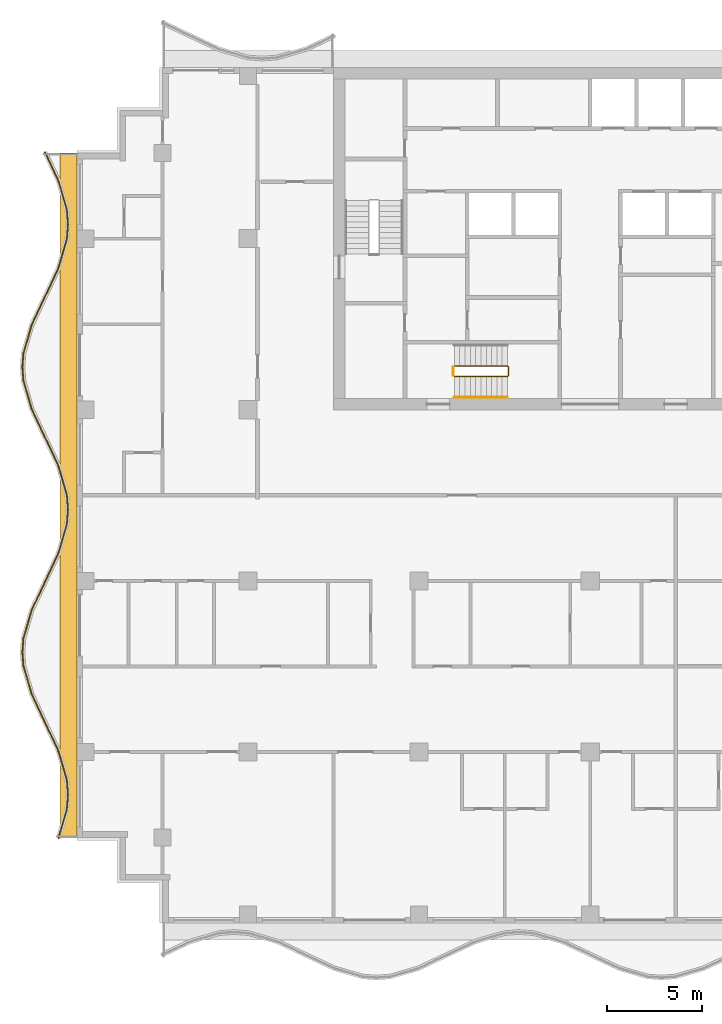
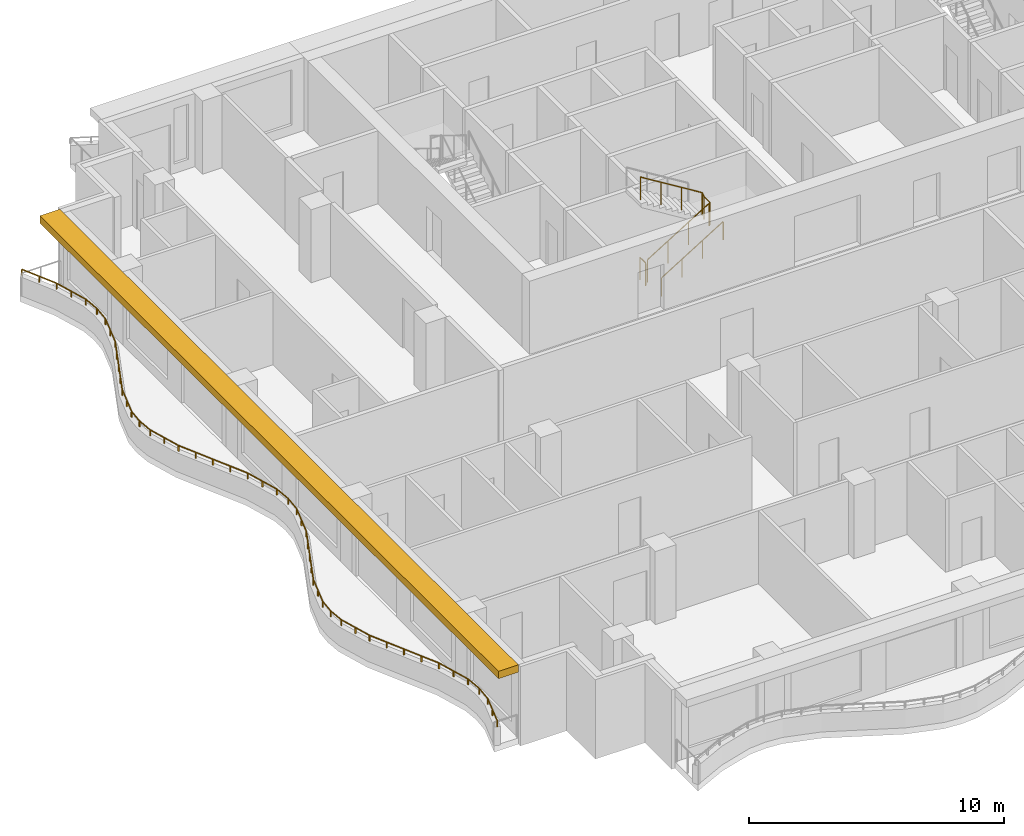
# One storey, part 9 of 11: 4 railings, 1 shading device.
"""IFC4 building model written with IfcOpenShell, lengths in metres."""

from ifc_helpers import new_model, si_unit, direction, frame, origin, origin_2d, place, context, subcontext, project, spatial, polyline, rectangle, circle, outline, extrude, material, layer, layer_set, type_object, element, save


model = new_model("IFC4")

# Units and contexts
model_context = context("Model", 3, precision=1e-05, world=origin(), true_north=direction((0.0, 1.0)))
body_context = subcontext(model_context, "Body", "Model", "MODEL_VIEW")
ifc_project = project(units=[si_unit("LENGTHUNIT", "METRE"), si_unit("AREAUNIT", "SQUARE_METRE"), si_unit("VOLUMEUNIT", "CUBIC_METRE"), si_unit("PLANEANGLEUNIT", "RADIAN"), si_unit("MASSUNIT", "GRAM", prefix="KILO")], contexts=[model_context])

# Site, building, storey
site_placement = place(None, origin())
site = spatial("IfcSite", under=ifc_project, at=site_placement, CompositionType="ELEMENT")
building_placement = place(site_placement, origin())
building = spatial("IfcBuilding", under=site, at=building_placement, Name="Orbiselva Terraces", CompositionType="ELEMENT")
storey_placement = place(building_placement, frame((0.0, 0.0, 257.8)))
storey = spatial("IfcBuildingStorey", under=building, at=storey_placement, Name="L65", CompositionType="ELEMENT", Elevation=257.8)

# Railings
ifc_material_1 = material(Name="Stainless steel", Category="steel")
railing_type_1 = type_object("IfcRailingType", Name="CORE-GUARD-1100", PredefinedType="GUARDRAIL", material=ifc_material_1)
railing_1_placement = place(storey_placement, frame((-7.15, 6.25, 0.172727)))
element("IfcRailing", 1, at=railing_1_placement, inside=storey, type_object=railing_type_1, Name="L65 S3 stair guard 1", PredefinedType="GUARDRAIL", context=body_context, shape_type="SweptSolid", body=[
    extrude(circle(Radius=0.024, at=origin_2d()), frame((0.0, 0.0, 1.081), z_axis=(0.851088519012, 0.0, 0.52502222125), x_axis=(0.0, 1.0, 0.0)), (0.0, 0.0, 1.0), 3.289905),
    extrude(circle(Radius=0.024, at=origin_2d()), frame((2.8, 0.0, 2.808273), z_axis=(0.707106781187, 0.707106781187, 0.0), x_axis=(-0.707106781187, 0.707106781187, 0.0)), (0.0, 0.0, 1.0), 0.070711),
    extrude(circle(Radius=0.024, at=origin_2d()), frame((2.85, 0.05, 2.808273), z_axis=(0.0, 1.0, 0.0), x_axis=(-1.0, 0.0, 0.0)), (0.0, 0.0, 1.0), 0.45),
    extrude(circle(Radius=0.024, at=origin_2d()), frame((2.85, 0.5, 2.808273), z_axis=(-0.267894925557, 0.267894925557, 0.925453736133), x_axis=(-0.707106781187, -0.707106781187, 0.0)), (0.0, 0.0, 1.0), 0.18664),
    extrude(circle(Radius=0.024, at=origin_2d()), frame((2.8, 0.55, 2.981), z_axis=(-0.851088519012, 0.0, 0.52502222125), x_axis=(0.0, -1.0, 0.0)), (0.0, 0.0, 1.0), 3.289905),
    extrude(circle(Radius=0.021, at=origin_2d()), origin(), (0.0, 0.0, 1.0), 1.057),
    extrude(circle(Radius=0.021, at=origin_2d()), frame((0.933333, 0.0, 0.575758)), (0.0, 0.0, 1.0), 1.057),
    extrude(circle(Radius=0.021, at=origin_2d()), frame((1.866667, 0.0, 1.151515)), (0.0, 0.0, 1.0), 1.057),
    extrude(circle(Radius=0.021, at=origin_2d()), frame((2.8, 0.0, 1.727273)), (0.0, 0.0, 1.0), 1.057),
    extrude(circle(Radius=0.021, at=origin_2d()), frame((2.85, 0.05, 1.727273)), (0.0, 0.0, 1.0), 1.057),
    extrude(circle(Radius=0.021, at=origin_2d()), frame((2.85, 0.5, 1.727273)), (0.0, 0.0, 1.0), 1.057),
    extrude(circle(Radius=0.021, at=origin_2d()), frame((2.8, 0.55, 1.9)), (0.0, 0.0, 1.0), 1.057),
    extrude(circle(Radius=0.021, at=origin_2d()), frame((1.866667, 0.55, 2.475758)), (0.0, 0.0, 1.0), 1.057),
    extrude(circle(Radius=0.021, at=origin_2d()), frame((0.933333, 0.55, 3.051515)), (0.0, 0.0, 1.0), 1.057),
    extrude(circle(Radius=0.021, at=origin_2d()), frame((0.0, 0.55, 3.627273)), (0.0, 0.0, 1.0), 1.057),
])
railing_2_placement = place(storey_placement, frame((-7.2, 6.3, 0.0)))
element("IfcRailing", 2, at=railing_2_placement, inside=storey, type_object=railing_type_1, Name="L65 S3 stair guard 2", PredefinedType="GUARDRAIL", context=body_context, shape_type="SweptSolid", body=[
    extrude(circle(Radius=0.024, at=origin_2d()), frame((0.0, 0.0, 1.081), z_axis=(0.0, 1.0, 0.0), x_axis=(-1.0, 0.0, 0.0)), (0.0, 0.0, 1.0), 0.45),
    extrude(circle(Radius=0.021, at=origin_2d()), origin(), (0.0, 0.0, 1.0), 1.057),
    extrude(circle(Radius=0.021, at=origin_2d()), frame((0.0, 0.45, 0.0)), (0.0, 0.0, 1.0), 1.057),
])
railing_type_2 = type_object("IfcRailingType", Name="CORE-HANDRAIL-900", PredefinedType="HANDRAIL", material=ifc_material_1)
railing_3_placement = place(storey_placement, frame((-7.15, 5.15, 0.172727)))
element("IfcRailing", 3, at=railing_3_placement, inside=storey, type_object=railing_type_2, Name="L65 S3 stair handrail 1", PredefinedType="HANDRAIL", context=body_context, shape_type="SweptSolid", body=[
    extrude(circle(Radius=0.024, at=origin_2d()), frame((0.0, 0.0, 0.876), z_axis=(0.851088519012, 0.0, 0.52502222125), x_axis=(0.0, 1.0, 0.0)), (0.0, 0.0, 1.0), 3.289905),
    extrude(circle(Radius=0.021, at=origin_2d()), origin(), (0.0, 0.0, 1.0), 0.852),
    extrude(circle(Radius=0.021, at=origin_2d()), frame((0.933333, 0.0, 0.575758)), (0.0, 0.0, 1.0), 0.852),
    extrude(circle(Radius=0.021, at=origin_2d()), frame((1.866667, 0.0, 1.151515)), (0.0, 0.0, 1.0), 0.852),
    extrude(circle(Radius=0.021, at=origin_2d()), frame((2.8, 0.0, 1.727273)), (0.0, 0.0, 1.0), 0.852),
])
ifc_material_2 = material(Name="Bonded two-ply safety glass balustrade, stainless steel posts", Category="steel")
railing_type_3 = type_object("IfcRailingType", Name="ENV-BALUSTRADE-1200", PredefinedType="BALUSTRADE", material=ifc_material_2)
railing_4_placement = place(storey_placement, frame((-28.686882, 18.053191, 0.9)))
element("IfcRailing", 4, at=railing_4_placement, inside=storey, type_object=railing_type_3, Name="Balcony balustrade L65 W", PredefinedType="BALUSTRADE", context=body_context, shape_type="SweptSolid", body=[
    extrude(outline(polyline([(0.028868, 0.0), (0.014434, 0.025), (-0.014434, 0.025), (-0.028868, 0.0), (-0.014434, -0.025), (0.014434, -0.025), (0.028868, 0.0)])), frame((0.0, 0.0, 0.275), z_axis=(0.425530342069, -0.904944157382, 0.0), x_axis=(0.904944157382, 0.425530342069, 0.0)), (0.0, 0.0, 1.0), 1.667376),
    extrude(outline(polyline([(0.028868, 0.0), (0.014434, 0.025), (-0.014434, 0.025), (-0.028868, 0.0), (-0.014434, -0.025), (0.014434, -0.025), (0.028868, 0.0)])), frame((0.709519, -1.508882, 0.275), z_axis=(0.279070928786, -0.960270491427, 0.0), x_axis=(0.960270491427, 0.279070928786, 0.0)), (0.0, 0.0, 1.0), 1.584712),
    extrude(outline(polyline([(0.028868, 0.0), (0.014434, 0.025), (-0.014434, 0.025), (-0.028868, 0.0), (-0.014434, -0.025), (0.014434, -0.025), (0.028868, 0.0)])), frame((1.151766, -3.030634, 0.275), z_axis=(0.078071061106, -0.996947796737, 0.0), x_axis=(0.996947796737, 0.078071061106, 0.0)), (0.0, 0.0, 1.0), 0.774922),
    extrude(outline(polyline([(0.028868, 0.0), (0.014434, 0.025), (-0.014434, 0.025), (-0.028868, 0.0), (-0.014434, -0.025), (0.014434, -0.025), (0.028868, 0.0)])), frame((1.212265, -3.803191, 0.275), z_axis=(-0.078071061106, -0.996947796737, 0.0), x_axis=(0.996947796737, -0.078071061106, 0.0)), (0.0, 0.0, 1.0), 0.774922),
    extrude(outline(polyline([(0.028868, 0.0), (0.014434, 0.025), (-0.014434, 0.025), (-0.028868, 0.0), (-0.014434, -0.025), (0.014434, -0.025), (0.028868, 0.0)])), frame((1.151766, -4.575748, 0.275), z_axis=(-0.279070928786, -0.960270491427, 0.0), x_axis=(0.960270491427, -0.279070928786, 0.0)), (0.0, 0.0, 1.0), 1.584712),
    extrude(outline(polyline([(0.028868, 0.0), (0.014434, 0.025), (-0.014434, 0.025), (-0.028868, 0.0), (-0.014434, -0.025), (0.014434, -0.025), (0.028868, 0.0)])), frame((0.709519, -6.0975, 0.275), z_axis=(-0.425530342069, -0.904944157382, 0.0), x_axis=(0.904944157382, -0.425530342069, 0.0)), (0.0, 0.0, 1.0), 1.667376),
    extrude(outline(polyline([(0.028868, 0.0), (0.014434, 0.025), (-0.014434, 0.025), (-0.028868, 0.0), (-0.014434, -0.025), (0.014434, -0.025), (0.028868, 0.0)])), frame((0.0, -7.606382, 0.275), z_axis=(-0.425529912322, -0.904944359461, 0.0), x_axis=(0.904944359461, -0.425529912322, 0.0)), (0.0, 0.0, 1.0), 1.647746),
    extrude(outline(polyline([(0.028868, 0.0), (0.014434, 0.025), (-0.014434, 0.025), (-0.028868, 0.0), (-0.014434, -0.025), (0.014434, -0.025), (0.028868, 0.0)])), frame((-0.701165, -9.0975, 0.275), z_axis=(-0.279071528957, -0.960270317007, 0.0), x_axis=(0.960270317007, -0.279071528957, 0.0)), (0.0, 0.0, 1.0), 1.539408),
    extrude(outline(polyline([(0.028868, 0.0), (0.014434, 0.025), (-0.014434, 0.025), (-0.028868, 0.0), (-0.014434, -0.025), (0.014434, -0.025), (0.028868, 0.0)])), frame((-1.13077, -10.575748, 0.275), z_axis=(-0.078069536776, -0.996947916106, 0.0), x_axis=(0.996947916106, -0.078069536776, 0.0)), (0.0, 0.0, 1.0), 0.72967),
    extrude(outline(polyline([(0.028868, 0.0), (0.014434, 0.025), (-0.014434, 0.025), (-0.028868, 0.0), (-0.014434, -0.025), (0.014434, -0.025), (0.028868, 0.0)])), frame((-1.187735, -11.303191, 0.275), z_axis=(0.078069536776, -0.996947916106, 0.0), x_axis=(0.996947916106, 0.078069536776, 0.0)), (0.0, 0.0, 1.0), 0.72967),
    extrude(outline(polyline([(0.028868, 0.0), (0.014434, 0.025), (-0.014434, 0.025), (-0.028868, 0.0), (-0.014434, -0.025), (0.014434, -0.025), (0.028868, 0.0)])), frame((-1.13077, -12.030634, 0.275), z_axis=(0.279071528957, -0.960270317007, 0.0), x_axis=(0.960270317007, 0.279071528957, 0.0)), (0.0, 0.0, 1.0), 1.539408),
    extrude(outline(polyline([(0.028868, 0.0), (0.014434, 0.025), (-0.014434, 0.025), (-0.028868, 0.0), (-0.014434, -0.025), (0.014434, -0.025), (0.028868, 0.0)])), frame((-0.701165, -13.508882, 0.275), z_axis=(0.425529912322, -0.904944359461, 0.0), x_axis=(0.904944359461, 0.425529912322, 0.0)), (0.0, 0.0, 1.0), 1.647746),
    extrude(outline(polyline([(0.028868, 0.0), (0.014434, 0.025), (-0.014434, 0.025), (-0.028868, 0.0), (-0.014434, -0.025), (0.014434, -0.025), (0.028868, 0.0)])), frame((0.0, -15.0, 0.275), z_axis=(0.425530342069, -0.904944157382, 0.0), x_axis=(0.904944157382, 0.425530342069, 0.0)), (0.0, 0.0, 1.0), 1.667376),
    extrude(outline(polyline([(0.028868, 0.0), (0.014434, 0.025), (-0.014434, 0.025), (-0.028868, 0.0), (-0.014434, -0.025), (0.014434, -0.025), (0.028868, 0.0)])), frame((0.709519, -16.508882, 0.275), z_axis=(0.279070928786, -0.960270491427, 0.0), x_axis=(0.960270491427, 0.279070928786, 0.0)), (0.0, 0.0, 1.0), 1.584712),
    extrude(outline(polyline([(0.028868, 0.0), (0.014434, 0.025), (-0.014434, 0.025), (-0.028868, 0.0), (-0.014434, -0.025), (0.014434, -0.025), (0.028868, 0.0)])), frame((1.151766, -18.030634, 0.275), z_axis=(0.078071061106, -0.996947796737, 0.0), x_axis=(0.996947796737, 0.078071061106, 0.0)), (0.0, 0.0, 1.0), 0.774922),
    extrude(outline(polyline([(0.028868, 0.0), (0.014434, 0.025), (-0.014434, 0.025), (-0.028868, 0.0), (-0.014434, -0.025), (0.014434, -0.025), (0.028868, 0.0)])), frame((1.212265, -18.803191, 0.275), z_axis=(-0.078071061106, -0.996947796737, 0.0), x_axis=(0.996947796737, -0.078071061106, 0.0)), (0.0, 0.0, 1.0), 0.774922),
    extrude(outline(polyline([(0.028868, 0.0), (0.014434, 0.025), (-0.014434, 0.025), (-0.028868, 0.0), (-0.014434, -0.025), (0.014434, -0.025), (0.028868, 0.0)])), frame((1.151766, -19.575748, 0.275), z_axis=(-0.279070928786, -0.960270491427, 0.0), x_axis=(0.960270491427, -0.279070928786, 0.0)), (0.0, 0.0, 1.0), 1.584712),
    extrude(outline(polyline([(0.028868, 0.0), (0.014434, 0.025), (-0.014434, 0.025), (-0.028868, 0.0), (-0.014434, -0.025), (0.014434, -0.025), (0.028868, 0.0)])), frame((0.709519, -21.0975, 0.275), z_axis=(-0.425530342069, -0.904944157382, 0.0), x_axis=(0.904944157382, -0.425530342069, 0.0)), (0.0, 0.0, 1.0), 1.667376),
    extrude(outline(polyline([(0.028868, 0.0), (0.014434, 0.025), (-0.014434, 0.025), (-0.028868, 0.0), (-0.014434, -0.025), (0.014434, -0.025), (0.028868, 0.0)])), frame((0.0, -22.606382, 0.275), z_axis=(-0.425529912322, -0.904944359461, 0.0), x_axis=(0.904944359461, -0.425529912322, 0.0)), (0.0, 0.0, 1.0), 1.647746),
    extrude(outline(polyline([(0.028868, 0.0), (0.014434, 0.025), (-0.014434, 0.025), (-0.028868, 0.0), (-0.014434, -0.025), (0.014434, -0.025), (0.028868, 0.0)])), frame((-0.701165, -24.0975, 0.275), z_axis=(-0.279071528957, -0.960270317007, 0.0), x_axis=(0.960270317007, -0.279071528957, 0.0)), (0.0, 0.0, 1.0), 1.539408),
    extrude(outline(polyline([(0.028868, 0.0), (0.014434, 0.025), (-0.014434, 0.025), (-0.028868, 0.0), (-0.014434, -0.025), (0.014434, -0.025), (0.028868, 0.0)])), frame((-1.13077, -25.575748, 0.275), z_axis=(-0.078069536776, -0.996947916106, 0.0), x_axis=(0.996947916106, -0.078069536776, 0.0)), (0.0, 0.0, 1.0), 0.72967),
    extrude(outline(polyline([(0.028868, 0.0), (0.014434, 0.025), (-0.014434, 0.025), (-0.028868, 0.0), (-0.014434, -0.025), (0.014434, -0.025), (0.028868, 0.0)])), frame((-1.187735, -26.303191, 0.275), z_axis=(0.078069536776, -0.996947916106, 0.0), x_axis=(0.996947916106, 0.078069536776, 0.0)), (0.0, 0.0, 1.0), 0.72967),
    extrude(outline(polyline([(0.028868, 0.0), (0.014434, 0.025), (-0.014434, 0.025), (-0.028868, 0.0), (-0.014434, -0.025), (0.014434, -0.025), (0.028868, 0.0)])), frame((-1.13077, -27.030634, 0.275), z_axis=(0.279071528957, -0.960270317007, 0.0), x_axis=(0.960270317007, 0.279071528957, 0.0)), (0.0, 0.0, 1.0), 1.539408),
    extrude(outline(polyline([(0.028868, 0.0), (0.014434, 0.025), (-0.014434, 0.025), (-0.028868, 0.0), (-0.014434, -0.025), (0.014434, -0.025), (0.028868, 0.0)])), frame((-0.701165, -28.508882, 0.275), z_axis=(0.425529912322, -0.904944359461, 0.0), x_axis=(0.904944359461, 0.425529912322, 0.0)), (0.0, 0.0, 1.0), 1.647746),
    extrude(outline(polyline([(0.028868, 0.0), (0.014434, 0.025), (-0.014434, 0.025), (-0.028868, 0.0), (-0.014434, -0.025), (0.014434, -0.025), (0.028868, 0.0)])), frame((0.0, -30.0, 0.275), z_axis=(0.425530342069, -0.904944157382, 0.0), x_axis=(0.904944157382, 0.425530342069, 0.0)), (0.0, 0.0, 1.0), 1.667376),
    extrude(outline(polyline([(0.028868, 0.0), (0.014434, 0.025), (-0.014434, 0.025), (-0.028868, 0.0), (-0.014434, -0.025), (0.014434, -0.025), (0.028868, 0.0)])), frame((0.709519, -31.508882, 0.275), z_axis=(0.279070928786, -0.960270491427, 0.0), x_axis=(0.960270491427, 0.279070928786, 0.0)), (0.0, 0.0, 1.0), 1.584712),
    extrude(outline(polyline([(0.028868, 0.0), (0.014434, 0.025), (-0.014434, 0.025), (-0.028868, 0.0), (-0.014434, -0.025), (0.014434, -0.025), (0.028868, 0.0)])), frame((1.151766, -33.030634, 0.275), z_axis=(0.078071061106, -0.996947796737, 0.0), x_axis=(0.996947796737, 0.078071061106, 0.0)), (0.0, 0.0, 1.0), 0.774922),
    extrude(outline(polyline([(0.028868, 0.0), (0.014434, 0.025), (-0.014434, 0.025), (-0.028868, 0.0), (-0.014434, -0.025), (0.014434, -0.025), (0.028868, 0.0)])), frame((1.212265, -33.803191, 0.275), z_axis=(-0.078071061106, -0.996947796737, 0.0), x_axis=(0.996947796737, -0.078071061106, 0.0)), (0.0, 0.0, 1.0), 0.774922),
    extrude(outline(polyline([(0.028868, 0.0), (0.014434, 0.025), (-0.014434, 0.025), (-0.028868, 0.0), (-0.014434, -0.025), (0.014434, -0.025), (0.028868, 0.0)])), frame((1.151766, -34.575748, 0.275), z_axis=(-0.279070966973, -0.96027048033, 0.0), x_axis=(0.96027048033, -0.279070966973, 0.0)), (0.0, 0.0, 1.0), 1.574897),
    extrude(rectangle(XDim=0.05, YDim=0.05, at=origin_2d()), origin(), (0.0, 0.0, 1.0), 0.25),
    extrude(rectangle(XDim=0.05, YDim=0.05, at=origin_2d()), frame((0.35476, -0.754441, 0.0)), (0.0, 0.0, 1.0), 0.25),
    extrude(rectangle(XDim=0.05, YDim=0.05, at=origin_2d()), frame((0.709519, -1.508882, 0.0)), (0.0, 0.0, 1.0), 0.25),
    extrude(rectangle(XDim=0.05, YDim=0.05, at=origin_2d()), frame((0.930643, -2.269758, 0.0)), (0.0, 0.0, 1.0), 0.25),
    extrude(rectangle(XDim=0.05, YDim=0.05, at=origin_2d()), frame((1.151766, -3.030634, 0.0)), (0.0, 0.0, 1.0), 0.25),
    extrude(rectangle(XDim=0.05, YDim=0.05, at=origin_2d()), frame((1.212265, -3.803191, 0.0)), (0.0, 0.0, 1.0), 0.25),
    extrude(rectangle(XDim=0.05, YDim=0.05, at=origin_2d()), frame((1.151766, -4.575748, 0.0)), (0.0, 0.0, 1.0), 0.25),
    extrude(rectangle(XDim=0.05, YDim=0.05, at=origin_2d()), frame((0.930643, -5.336624, 0.0)), (0.0, 0.0, 1.0), 0.25),
    extrude(rectangle(XDim=0.05, YDim=0.05, at=origin_2d()), frame((0.709519, -6.0975, 0.0)), (0.0, 0.0, 1.0), 0.25),
    extrude(rectangle(XDim=0.05, YDim=0.05, at=origin_2d()), frame((0.35476, -6.851941, 0.0)), (0.0, 0.0, 1.0), 0.25),
    extrude(rectangle(XDim=0.05, YDim=0.05, at=origin_2d()), frame((0.0, -7.606382, 0.0)), (0.0, 0.0, 1.0), 0.25),
    extrude(rectangle(XDim=0.05, YDim=0.05, at=origin_2d()), frame((-0.350582, -8.351941, 0.0)), (0.0, 0.0, 1.0), 0.25),
    extrude(rectangle(XDim=0.05, YDim=0.05, at=origin_2d()), frame((-0.701165, -9.0975, 0.0)), (0.0, 0.0, 1.0), 0.25),
    extrude(rectangle(XDim=0.05, YDim=0.05, at=origin_2d()), frame((-0.915967, -9.836624, 0.0)), (0.0, 0.0, 1.0), 0.25),
    extrude(rectangle(XDim=0.05, YDim=0.05, at=origin_2d()), frame((-1.13077, -10.575748, 0.0)), (0.0, 0.0, 1.0), 0.25),
    extrude(rectangle(XDim=0.05, YDim=0.05, at=origin_2d()), frame((-1.187735, -11.303191, 0.0)), (0.0, 0.0, 1.0), 0.25),
    extrude(rectangle(XDim=0.05, YDim=0.05, at=origin_2d()), frame((-1.13077, -12.030634, 0.0)), (0.0, 0.0, 1.0), 0.25),
    extrude(rectangle(XDim=0.05, YDim=0.05, at=origin_2d()), frame((-0.915967, -12.769758, 0.0)), (0.0, 0.0, 1.0), 0.25),
    extrude(rectangle(XDim=0.05, YDim=0.05, at=origin_2d()), frame((-0.701165, -13.508882, 0.0)), (0.0, 0.0, 1.0), 0.25),
    extrude(rectangle(XDim=0.05, YDim=0.05, at=origin_2d()), frame((-0.350582, -14.254441, 0.0)), (0.0, 0.0, 1.0), 0.25),
    extrude(rectangle(XDim=0.05, YDim=0.05, at=origin_2d()), frame((0.0, -15.0, 0.0)), (0.0, 0.0, 1.0), 0.25),
    extrude(rectangle(XDim=0.05, YDim=0.05, at=origin_2d()), frame((0.35476, -15.754441, 0.0)), (0.0, 0.0, 1.0), 0.25),
    extrude(rectangle(XDim=0.05, YDim=0.05, at=origin_2d()), frame((0.709519, -16.508882, 0.0)), (0.0, 0.0, 1.0), 0.25),
    extrude(rectangle(XDim=0.05, YDim=0.05, at=origin_2d()), frame((0.930643, -17.269758, 0.0)), (0.0, 0.0, 1.0), 0.25),
    extrude(rectangle(XDim=0.05, YDim=0.05, at=origin_2d()), frame((1.151766, -18.030634, 0.0)), (0.0, 0.0, 1.0), 0.25),
    extrude(rectangle(XDim=0.05, YDim=0.05, at=origin_2d()), frame((1.212265, -18.803191, 0.0)), (0.0, 0.0, 1.0), 0.25),
    extrude(rectangle(XDim=0.05, YDim=0.05, at=origin_2d()), frame((1.151766, -19.575748, 0.0)), (0.0, 0.0, 1.0), 0.25),
    extrude(rectangle(XDim=0.05, YDim=0.05, at=origin_2d()), frame((0.930643, -20.336624, 0.0)), (0.0, 0.0, 1.0), 0.25),
    extrude(rectangle(XDim=0.05, YDim=0.05, at=origin_2d()), frame((0.709519, -21.0975, 0.0)), (0.0, 0.0, 1.0), 0.25),
    extrude(rectangle(XDim=0.05, YDim=0.05, at=origin_2d()), frame((0.35476, -21.851941, 0.0)), (0.0, 0.0, 1.0), 0.25),
    extrude(rectangle(XDim=0.05, YDim=0.05, at=origin_2d()), frame((0.0, -22.606382, 0.0)), (0.0, 0.0, 1.0), 0.25),
    extrude(rectangle(XDim=0.05, YDim=0.05, at=origin_2d()), frame((-0.350582, -23.351941, 0.0)), (0.0, 0.0, 1.0), 0.25),
    extrude(rectangle(XDim=0.05, YDim=0.05, at=origin_2d()), frame((-0.701165, -24.0975, 0.0)), (0.0, 0.0, 1.0), 0.25),
    extrude(rectangle(XDim=0.05, YDim=0.05, at=origin_2d()), frame((-0.915967, -24.836624, 0.0)), (0.0, 0.0, 1.0), 0.25),
    extrude(rectangle(XDim=0.05, YDim=0.05, at=origin_2d()), frame((-1.13077, -25.575748, 0.0)), (0.0, 0.0, 1.0), 0.25),
    extrude(rectangle(XDim=0.05, YDim=0.05, at=origin_2d()), frame((-1.187735, -26.303191, 0.0)), (0.0, 0.0, 1.0), 0.25),
    extrude(rectangle(XDim=0.05, YDim=0.05, at=origin_2d()), frame((-1.13077, -27.030634, 0.0)), (0.0, 0.0, 1.0), 0.25),
    extrude(rectangle(XDim=0.05, YDim=0.05, at=origin_2d()), frame((-0.915967, -27.769758, 0.0)), (0.0, 0.0, 1.0), 0.25),
    extrude(rectangle(XDim=0.05, YDim=0.05, at=origin_2d()), frame((-0.701165, -28.508882, 0.0)), (0.0, 0.0, 1.0), 0.25),
    extrude(rectangle(XDim=0.05, YDim=0.05, at=origin_2d()), frame((-0.350582, -29.254441, 0.0)), (0.0, 0.0, 1.0), 0.25),
    extrude(rectangle(XDim=0.05, YDim=0.05, at=origin_2d()), frame((0.0, -30.0, 0.0)), (0.0, 0.0, 1.0), 0.25),
    extrude(rectangle(XDim=0.05, YDim=0.05, at=origin_2d()), frame((0.35476, -30.754441, 0.0)), (0.0, 0.0, 1.0), 0.25),
    extrude(rectangle(XDim=0.05, YDim=0.05, at=origin_2d()), frame((0.709519, -31.508882, 0.0)), (0.0, 0.0, 1.0), 0.25),
    extrude(rectangle(XDim=0.05, YDim=0.05, at=origin_2d()), frame((0.930643, -32.269758, 0.0)), (0.0, 0.0, 1.0), 0.25),
    extrude(rectangle(XDim=0.05, YDim=0.05, at=origin_2d()), frame((1.151766, -33.030634, 0.0)), (0.0, 0.0, 1.0), 0.25),
    extrude(rectangle(XDim=0.05, YDim=0.05, at=origin_2d()), frame((1.212265, -33.803191, 0.0)), (0.0, 0.0, 1.0), 0.25),
    extrude(rectangle(XDim=0.05, YDim=0.05, at=origin_2d()), frame((1.151766, -34.575748, 0.0)), (0.0, 0.0, 1.0), 0.25),
    extrude(rectangle(XDim=0.05, YDim=0.05, at=origin_2d()), frame((0.932012, -35.331912, 0.0)), (0.0, 0.0, 1.0), 0.25),
    extrude(rectangle(XDim=0.05, YDim=0.05, at=origin_2d()), frame((0.712258, -36.088075, 0.0)), (0.0, 0.0, 1.0), 0.25),
])

# Shading device
ifc_material_3 = material(Name="Terracotta baguette sunshade", Category="masonry")
ifc_layer = layer(ifc_material_3, 0.35)
ifc_layer_set = layer_set([ifc_layer], Name="Terracotta baguette sunshade")
shading_device_type = type_object("IfcShadingDeviceType", Name="ENV-SUNSHADE-900x350", PredefinedType="USERDEFINED", material=ifc_layer_set)
shading_device_placement = place(storey_placement, frame((0.0, 0.0, 3.15)))
element("IfcShadingDevice", 5, at=shading_device_placement, inside=storey, type_object=shading_device_type, Name="Sunshade band L65 W", ObjectType="SUNSHADE", PredefinedType="USERDEFINED", context=body_context, shape_type="SweptSolid", body=[
    extrude(outline(polyline([(-27.9, 18.0), (-27.9, -18.0), (-27.0, -18.0), (-27.0, 18.0), (-27.9, 18.0)])), origin(), (0.0, 0.0, 1.0), 0.35),
])

save(model, "model.ifc")
